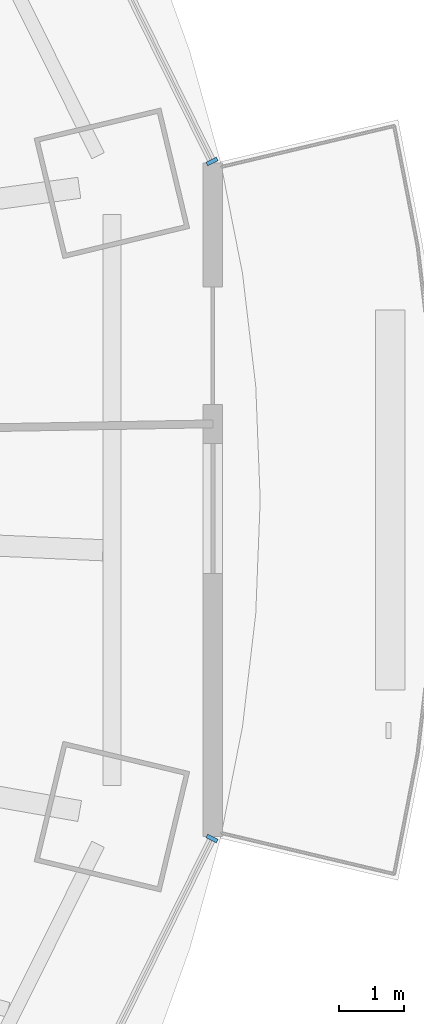
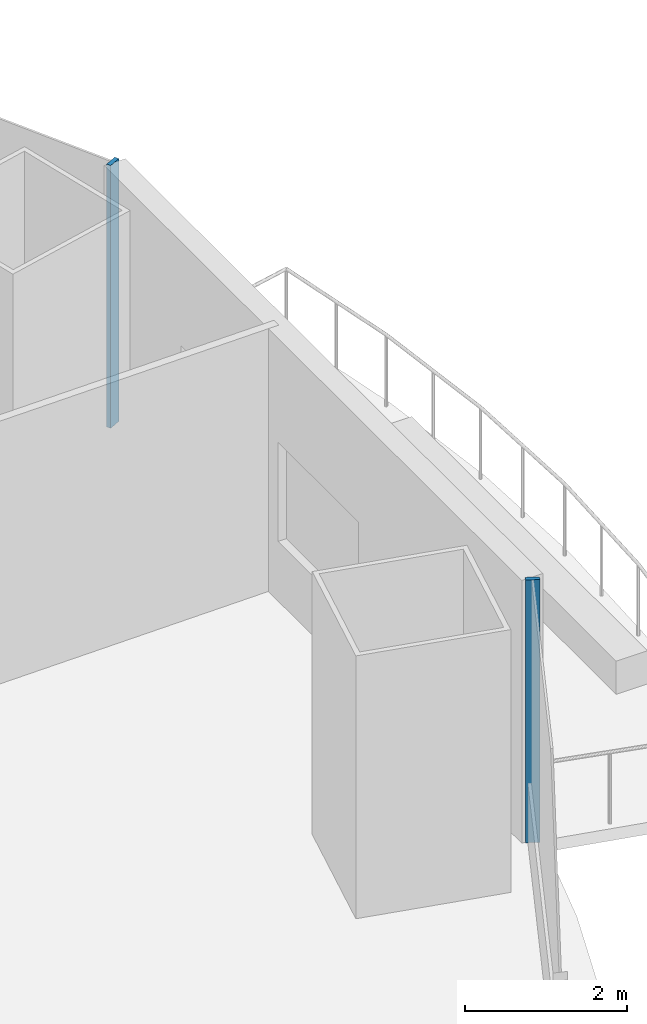
# One storey, part 10 of 21: 2 members, 2 elements without a shape of their own.
"""IFC4 building model written with IfcOpenShell, lengths in metres."""

from ifc_helpers import new_model, si_unit, direction, frame, origin, origin_2d, place, context, subcontext, project, spatial, rectangle, extrude, material, material_profile, profile_set, type_object, element, aggregate, save


model = new_model("IFC4")

# Units and contexts
model_context = context("Model", 3, precision=1e-05, world=origin(), true_north=direction((0.0, 1.0)))
body_context = subcontext(model_context, "Body", "Model", "MODEL_VIEW")
ifc_project = project(units=[si_unit("LENGTHUNIT", "METRE"), si_unit("AREAUNIT", "SQUARE_METRE"), si_unit("VOLUMEUNIT", "CUBIC_METRE"), si_unit("PLANEANGLEUNIT", "RADIAN"), si_unit("MASSUNIT", "GRAM", prefix="KILO")], contexts=[model_context])

# Site, building, storey
site_placement = place(None, origin())
site = spatial("IfcSite", under=ifc_project, at=site_placement, CompositionType="ELEMENT")
building_placement = place(site_placement, origin())
building = spatial("IfcBuilding", under=site, at=building_placement, Name="Marenthal Gate Tower", CompositionType="ELEMENT")
storey_placement = place(building_placement, frame((0.0, 0.0, 198.39990234375)))
storey = spatial("IfcBuildingStorey", under=building, at=storey_placement, Name="L43", CompositionType="ELEMENT", Elevation=198.39990234375)

# Curtain wall, member
ifc_material_1 = material(Name="Aluminium and glass", Category="aluminium")
curtain_wall_type = type_object("IfcCurtainWallType", Name="Curtain wall typical mid", PredefinedType="NOTDEFINED", material=ifc_material_1)
curtain_wall_1_placement = place(storey_placement, origin())
curtain_wall_1 = element("IfcCurtainWall", 1, at=curtain_wall_1_placement, inside=storey, type_object=curtain_wall_type, Name="Curtain wall L43 bay 1", PredefinedType="NOTDEFINED")
ifc_material_2 = material(Name="Aluminium", Category="aluminium")
ifc_material_profile = material_profile(ifc_material_2, rectangle(XDim=0.179931640625, YDim=0.06005859375, at=origin_2d()), Name="60x180 aluminium mullion")
ifc_profile_set = profile_set([ifc_material_profile], Name="Aluminium")
member_type = type_object("IfcMemberType", Name="Mullion 60x180 typical mid", PredefinedType="MULLION", material=ifc_profile_set)
member_1_placement = place(storey_placement, frame((32.752197265625, 4.595703125, 0.0), z_axis=(0.0, 0.0, 1.0), x_axis=(-0.896715617309, -0.442607164057, 0.0)))
member_1 = element("IfcMember", 2, at=member_1_placement, type_object=member_type, Name="Mullion L43 bay 1.1", PredefinedType="MULLION", context=body_context, shape_type="SweptSolid", body=[
    extrude(rectangle(XDim=0.179931640625, YDim=0.06005859375, at=origin_2d()), origin(), (0.0, 0.0, 1.0), 3.97021484375),
])
aggregate(curtain_wall_1, [member_1])

curtain_wall_2_placement = place(storey_placement, origin())
curtain_wall_2 = element("IfcCurtainWall", 3, at=curtain_wall_2_placement, inside=storey, type_object=curtain_wall_type, Name="Curtain wall L43 bay 15", PredefinedType="NOTDEFINED")
member_2_placement = place(storey_placement, frame((32.752197265625, -5.7958984375, 0.0), z_axis=(0.0, 0.0, 1.0), x_axis=(-0.896715617309, 0.442607164057, 0.0)))
member_2 = element("IfcMember", 4, at=member_2_placement, type_object=member_type, Name="Mullion L43 bay 15.3", PredefinedType="MULLION", context=body_context, shape_type="SweptSolid", body=[
    extrude(rectangle(XDim=0.179931640625, YDim=0.06005859375, at=origin_2d()), origin(), (0.0, 0.0, 1.0), 3.97021484375),
])
aggregate(curtain_wall_2, [member_2])

save(model, "model.ifc")
